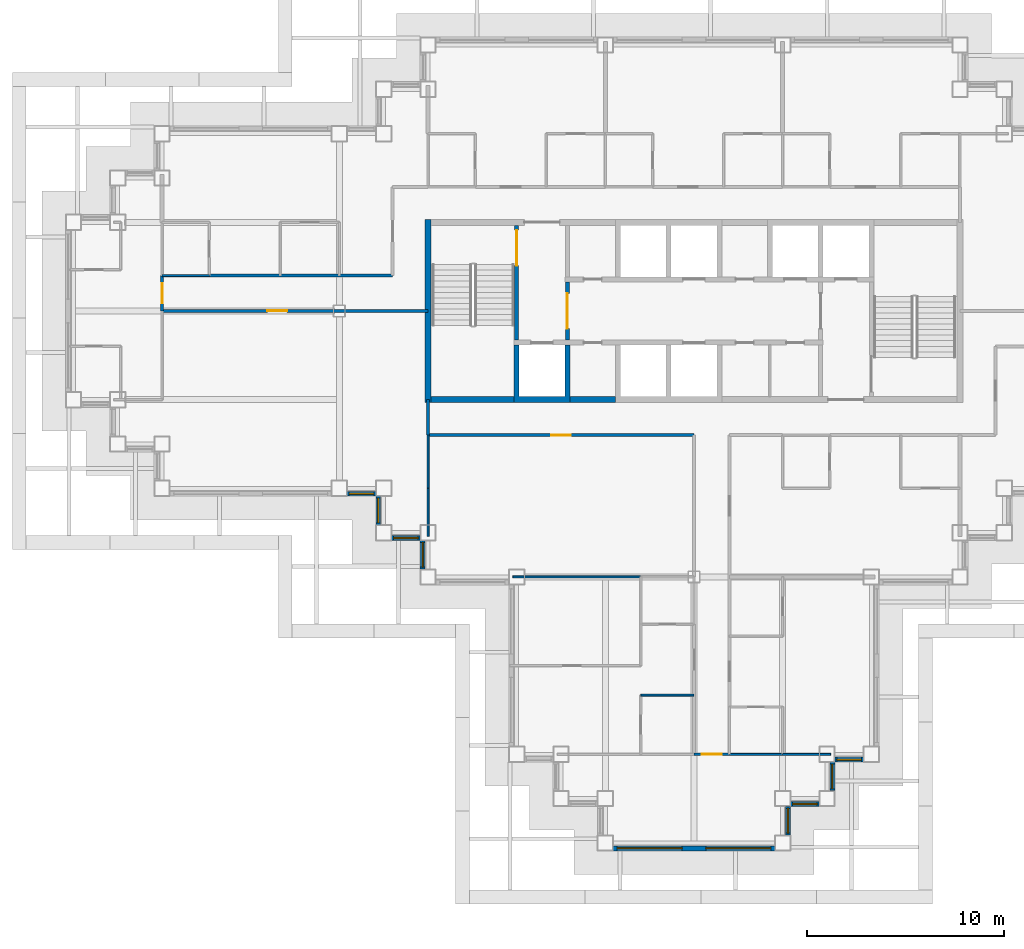
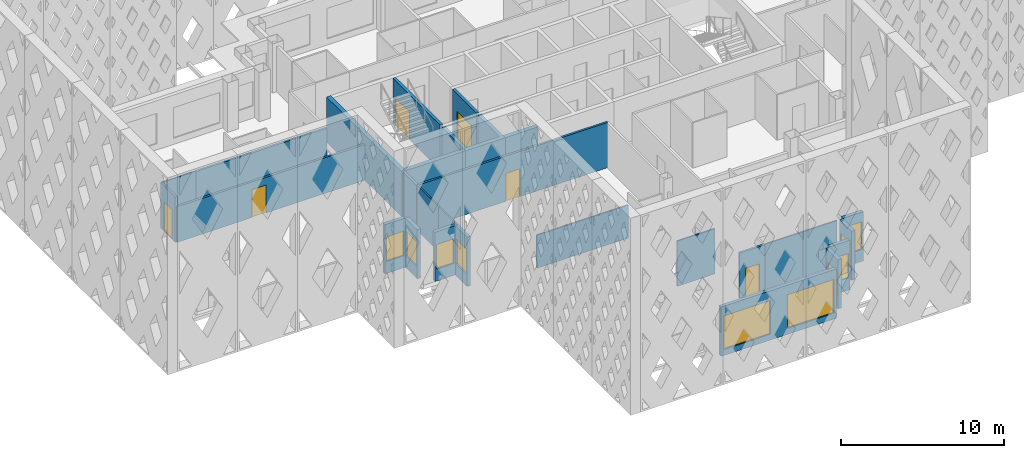
# One storey, part 4 of 19: 28 walls, 10 windows, 6 doors, 16 openings.
"""IFC4 building model written with IfcOpenShell, lengths in metres."""

from ifc_helpers import new_model, si_unit, direction, frame, frame_2d, origin, place, context, subcontext, project, spatial, polyline, rectangle, outline, extrude, material, layer, layer_set, type_object, element, fill, save


model = new_model("IFC4")

# Units and contexts
model_context = context("Model", 3, precision=1e-05, world=origin(), true_north=direction((0.0, 1.0)))
body_context = subcontext(model_context, "Body", "Model", "MODEL_VIEW")
ifc_project = project(units=[si_unit("LENGTHUNIT", "METRE"), si_unit("AREAUNIT", "SQUARE_METRE"), si_unit("VOLUMEUNIT", "CUBIC_METRE"), si_unit("PLANEANGLEUNIT", "RADIAN"), si_unit("MASSUNIT", "GRAM", prefix="KILO")], contexts=[model_context])

# Site, building, storey
site_placement = place(None, origin())
site = spatial("IfcSite", under=ifc_project, at=site_placement, CompositionType="ELEMENT")
building_placement = place(site_placement, origin())
building = spatial("IfcBuilding", under=site, at=building_placement, Name="Caravel Reach Hotel and Residences", CompositionType="ELEMENT")
storey_placement = place(building_placement, frame((0.0, 0.0, 150.60009765625)))
storey = spatial("IfcBuildingStorey", under=building, at=storey_placement, Name="L37", CompositionType="ELEMENT", Elevation=150.60009765625)

# Walls
ifc_material_1 = material(Name="Gypsum board on steel stud", Category="steel")
ifc_layer_1 = layer(ifc_material_1, 0.10009765625)
ifc_layer_set_1 = layer_set([ifc_layer_1], Name="Bathroom pod wall 100 mm")
wall_type_1 = type_object("IfcWallType", Name="Bathroom pod wall 100 mm", PredefinedType="PARTITIONING", material=ifc_layer_set_1)
wall_1_placement = place(storey_placement, frame((4.5, 28.800048828125, 0.0), z_axis=(0.0, 0.0, 1.0), x_axis=(1.0, 0.0, 0.0)))
element("IfcWall", 1, at=wall_1_placement, inside=storey, type_object=wall_type_1, Name="L37 wall w087", PredefinedType="PARTITIONING", context=body_context, shape_type="SweptSolid", body=[
    extrude(rectangle(XDim=2.39990234375, YDim=0.10009765625, at=frame_2d((1.199951171875, 0.0))), origin(), (0.0, 0.0, 1.0), 3.39990234375),
])
wall_2_placement = place(storey_placement, frame((33.300048828125, 4.5, 0.0), z_axis=(0.0, 0.0, 1.0), x_axis=(1.0, 0.0, 0.0)))
element("IfcWall", 2, at=wall_2_placement, inside=storey, type_object=wall_type_1, Name="L37 wall w095", PredefinedType="PARTITIONING", context=body_context, shape_type="SweptSolid", body=[
    extrude(rectangle(XDim=2.699951171875, YDim=0.10009765625, at=frame_2d((1.35009765625, 0.0))), origin(), (0.0, 0.0, 1.0), 3.39990234375),
])
ifc_material_2 = material(Name="Concrete C60", Category="concrete")
ifc_layer_2 = layer(ifc_material_2, 0.300048828125)
ifc_layer_set_2 = layer_set([ifc_layer_2], Name="Core wall 300 mm EI 120")
wall_type_2 = type_object("IfcWallType", Name="Core wall 300 mm EI 120", PredefinedType="SHEAR", material=ifc_layer_set_2)
wall_3_placement = place(storey_placement, frame((18.14990234375, 22.5, 0.0), z_axis=(0.0, 0.0, 1.0), x_axis=(1.0, 0.0, 0.0)))
element("IfcWall", 3, at=wall_3_placement, inside=storey, type_object=wall_type_2, Name="L37 core wall S1", PredefinedType="SHEAR", context=body_context, shape_type="SweptSolid", body=[
    extrude(rectangle(XDim=4.22509765625, YDim=0.300048828125, at=frame_2d((2.112548828125, 0.0))), origin(), (0.0, 0.0, 1.0), 3.39990234375),
])
wall_4_placement = place(storey_placement, frame((25.196533203125, 22.5, 0.0), z_axis=(0.0, 0.0, 1.0), x_axis=(1.0, 0.0, 0.0)))
element("IfcWall", 4, at=wall_4_placement, inside=storey, type_object=wall_type_2, Name="L37 core wall S2", PredefinedType="SHEAR", context=body_context, shape_type="SweptSolid", body=[
    extrude(rectangle(XDim=2.3212890625, YDim=0.300048828125, at=frame_2d((1.16064453125, 0.0))), origin(), (0.0, 0.0, 1.0), 3.39990234375),
])
wall_5_placement = place(storey_placement, frame((18.0, 22.35009765625, 0.0), z_axis=(0.0, 0.0, 1.0), x_axis=(0.0, 1.0, 0.0)))
element("IfcWall", 5, at=wall_5_placement, inside=storey, type_object=wall_type_2, Name="L37 core wall W", PredefinedType="SHEAR", context=body_context, shape_type="SweptSolid", body=[
    extrude(rectangle(XDim=9.2998046875, YDim=0.300048828125, at=frame_2d((4.64990234375, 0.0))), origin(), (0.0, 0.0, 1.0), 3.39990234375),
])

# Wall, opening, door
ifc_material_3 = material(Name="Gypsum board on steel stud, fire-rated", Category="steel")
ifc_layer_3 = layer(ifc_material_3, 0.14990234375)
ifc_layer_set_3 = layer_set([ifc_layer_3], Name="Corridor wall 150 mm EI 60")
wall_type_3 = type_object("IfcWallType", Name="Corridor wall 150 mm EI 60", PredefinedType="PARTITIONING", material=ifc_layer_set_3)
wall_6_placement = place(storey_placement, frame((18.0, 20.699951171875, 0.0), z_axis=(0.0, 0.0, 1.0), x_axis=(1.0, 0.0, 0.0)))
wall_6 = element("IfcWall", 6, at=wall_6_placement, inside=storey, type_object=wall_type_3, Name="L37 wall w005", PredefinedType="PARTITIONING", context=body_context, shape_type="SweptSolid", body=[
    extrude(rectangle(XDim=13.5, YDim=0.14990234375, at=frame_2d((6.75, 0.0))), origin(), (0.0, 0.0, 1.0), 3.39990234375),
])
opening_1_placement = place(wall_6_placement, frame((6.25, 0.0, 0.0)))
opening_1 = element("IfcOpeningElement", 7, at=opening_1_placement, cuts=wall_6, Name="Opening D37-035", PredefinedType="OPENING", context=body_context, shape_type="SweptSolid", body=[
    extrude(rectangle(XDim=1.0, YDim=2.10009765625, at=frame_2d((0.5, 1.050048828125))), frame((0.0, 0.0849609375, 0.0), z_axis=(0.0, -1.0, 0.0), x_axis=(1.0, 0.0, 0.0)), (0.0, 0.0, 1.0), 0.169921875),
])
ifc_material_4 = material(Name="Steel fire door leaf", Category="steel")
door_type_1 = type_object("IfcDoorType", Name="Fire door 1000 x 2100 EI 60", OperationType="SINGLE_SWING_LEFT", PredefinedType="DOOR", material=ifc_material_4)
door_1_placement = place(opening_1_placement, origin())
door_1 = element("IfcDoor", 8, at=door_1_placement, inside=storey, type_object=door_type_1, Name="door D37-035", OperationType="SINGLE_SWING_RIGHT", OverallHeight=2.10009765625, OverallWidth=1.0, PredefinedType="DOOR", context=body_context, shape_type="SweptSolid", body=[
    extrude(rectangle(XDim=1.0, YDim=2.10009765625, at=frame_2d((0.5, 1.050048828125))), frame((0.0, 0.02490234375, 0.0), z_axis=(0.0, -1.0, 0.0), x_axis=(1.0, 0.0, 0.0)), (0.0, 0.0, 1.0), 0.050048828125),
])
fill(opening_1, door_1)

wall_7_placement = place(storey_placement, frame((4.5, 27.0, 0.0), z_axis=(0.0, 0.0, 1.0), x_axis=(1.0, 0.0, 0.0)))
wall_7 = element("IfcWall", 9, at=wall_7_placement, inside=storey, type_object=wall_type_3, Name="L37 wall w009", PredefinedType="PARTITIONING", context=body_context, shape_type="SweptSolid", body=[
    extrude(rectangle(XDim=13.5, YDim=0.14990234375, at=frame_2d((6.75, 0.0))), origin(), (0.0, 0.0, 1.0), 2.679931640625),
])
opening_2_placement = place(wall_7_placement, frame((5.35009765625, 0.0, 0.0)))
opening_2 = element("IfcOpeningElement", 10, at=opening_2_placement, cuts=wall_7, Name="Opening D37-029", PredefinedType="OPENING", context=body_context, shape_type="SweptSolid", body=[
    extrude(rectangle(XDim=1.0, YDim=2.10009765625, at=frame_2d((0.5, 1.050048828125))), frame((0.0, 0.0849609375, 0.0), z_axis=(0.0, -1.0, 0.0), x_axis=(1.0, 0.0, 0.0)), (0.0, 0.0, 1.0), 0.169921875),
])
door_2_placement = place(opening_2_placement, origin())
door_2 = element("IfcDoor", 11, at=door_2_placement, inside=storey, type_object=door_type_1, Name="door D37-029", OperationType="SINGLE_SWING_LEFT", OverallHeight=2.10009765625, OverallWidth=1.0, PredefinedType="DOOR", context=body_context, shape_type="SweptSolid", body=[
    extrude(rectangle(XDim=1.0, YDim=2.10009765625, at=frame_2d((0.5, 1.050048828125))), frame((0.0, 0.02490234375, 0.0), z_axis=(0.0, -1.0, 0.0), x_axis=(1.0, 0.0, 0.0)), (0.0, 0.0, 1.0), 0.050048828125),
])
fill(opening_2, door_2)

# Wall
wall_8_placement = place(storey_placement, frame((6.89990234375, 28.800048828125, 0.0), z_axis=(0.0, 0.0, 1.0), x_axis=(1.0, 0.0, 0.0)))
element("IfcWall", 12, at=wall_8_placement, inside=storey, type_object=wall_type_3, Name="L37 wall w011", PredefinedType="PARTITIONING", context=body_context, shape_type="SweptSolid", body=[
    extrude(rectangle(XDim=9.299072265625, YDim=0.14990234375, at=frame_2d((4.6494140625, 0.0))), origin(), (0.0, 0.0, 1.0), 3.39990234375),
])

# Wall, opening, door
wall_9_placement = place(storey_placement, frame((31.5, 4.5, 0.0), z_axis=(0.0, 0.0, 1.0), x_axis=(1.0, 0.0, 0.0)))
wall_9 = element("IfcWall", 13, at=wall_9_placement, inside=storey, type_object=wall_type_3, Name="L37 wall w021", PredefinedType="PARTITIONING", context=body_context, shape_type="SweptSolid", body=[
    extrude(rectangle(XDim=1.800048828125, YDim=0.14990234375, at=frame_2d((0.89990234375, 0.0))), origin(), (0.0, 0.0, 1.0), 3.39990234375),
])
opening_3_placement = place(wall_9_placement, frame((0.39990234375, 0.0, 0.0)))
opening_3 = element("IfcOpeningElement", 14, at=opening_3_placement, cuts=wall_9, Name="Opening D37-050", PredefinedType="OPENING", context=body_context, shape_type="SweptSolid", body=[
    extrude(rectangle(XDim=1.0, YDim=2.10009765625, at=frame_2d((0.5, 1.050048828125))), frame((0.0, 0.0849609375, 0.0), z_axis=(0.0, -1.0, 0.0), x_axis=(1.0, 0.0, 0.0)), (0.0, 0.0, 1.0), 0.169921875),
])
door_3_placement = place(opening_3_placement, origin())
door_3 = element("IfcDoor", 15, at=door_3_placement, inside=storey, type_object=door_type_1, Name="door D37-050", OperationType="SINGLE_SWING_LEFT", OverallHeight=2.10009765625, OverallWidth=1.0, PredefinedType="DOOR", context=body_context, shape_type="SweptSolid", body=[
    extrude(rectangle(XDim=1.0, YDim=2.10009765625, at=frame_2d((0.5, 1.050048828125))), frame((0.0, 0.02490234375, 0.0), z_axis=(0.0, -1.0, 0.0), x_axis=(1.0, 0.0, 0.0)), (0.0, 0.0, 1.0), 0.050048828125),
])
fill(opening_3, door_3)

# Wall
wall_10_placement = place(storey_placement, frame((18.0, 20.699951171875, 0.0), z_axis=(0.0, 0.0, 1.0), x_axis=(0.0, 1.0, 0.0)))
element("IfcWall", 16, at=wall_10_placement, inside=storey, type_object=wall_type_3, Name="L37 wall w023", PredefinedType="PARTITIONING", context=body_context, shape_type="SweptSolid", body=[
    extrude(rectangle(XDim=1.800048828125, YDim=0.14990234375, at=frame_2d((0.89990234375, 0.0))), origin(), (0.0, 0.0, 1.0), 3.39990234375),
])

# Wall, opening, door
wall_11_placement = place(storey_placement, frame((4.5, 27.0, 0.0), z_axis=(0.0, 0.0, 1.0), x_axis=(0.0, 1.0, 0.0)))
wall_11 = element("IfcWall", 17, at=wall_11_placement, inside=storey, type_object=wall_type_3, Name="L37 wall w030", PredefinedType="PARTITIONING", context=body_context, shape_type="SweptSolid", body=[
    extrude(rectangle(XDim=1.800048828125, YDim=0.14990234375, at=frame_2d((0.89990234375, 0.0))), origin(), (0.0, 0.0, 1.0), 3.39990234375),
])
opening_4_placement = place(wall_11_placement, frame((0.39990234375, 0.0, 0.0)))
opening_4 = element("IfcOpeningElement", 18, at=opening_4_placement, cuts=wall_11, Name="Opening D37-046", PredefinedType="OPENING", context=body_context, shape_type="SweptSolid", body=[
    extrude(rectangle(XDim=1.0, YDim=2.199951171875, at=frame_2d((0.5, 1.10009765625))), frame((0.0, 0.0849609375, 0.0), z_axis=(0.0, -1.0, 0.0), x_axis=(1.0, 0.0, 0.0)), (0.0, 0.0, 1.0), 0.169921875),
])
ifc_material_5 = material(Name="Steel fire door leaf", Category="steel")
door_type_2 = type_object("IfcDoorType", Name="Flat entrance door 1000 x 2200 EI 60", OperationType="SINGLE_SWING_LEFT", PredefinedType="DOOR", material=ifc_material_5)
door_4_placement = place(opening_4_placement, origin())
door_4 = element("IfcDoor", 19, at=door_4_placement, inside=storey, type_object=door_type_2, Name="door D37-046", OperationType="SINGLE_SWING_RIGHT", OverallHeight=2.199951171875, OverallWidth=1.0, PredefinedType="DOOR", context=body_context, shape_type="SweptSolid", body=[
    extrude(rectangle(XDim=1.0, YDim=2.199951171875, at=frame_2d((0.5, 1.10009765625))), frame((0.0, 0.02490234375, 0.0), z_axis=(0.0, -1.0, 0.0), x_axis=(1.0, 0.0, 0.0)), (0.0, 0.0, 1.0), 0.050048828125),
])
fill(opening_4, door_4)

# Wall, openings, windows
ifc_material_6 = material(Name="Insulated rainscreen wall, aluminium cladding", Category="aluminium")
ifc_layer_4 = layer(ifc_material_6, 0.25)
ifc_layer_set_4 = layer_set([ifc_layer_4], Name="EW1 Tower rainscreen wall")
wall_type_4 = type_object("IfcWallType", Name="EW1 Tower rainscreen wall", PredefinedType="SOLIDWALL", material=ifc_layer_set_4)
wall_12_placement = place(storey_placement, frame((27.39990234375, -0.27490234375, 0.0), z_axis=(0.0, 0.0, 1.0), x_axis=(1.0, 0.0, 0.0)))
wall_12 = element("IfcWall", 20, at=wall_12_placement, inside=storey, type_object=wall_type_4, Name="External wall L37 S5.1", PredefinedType="SOLIDWALL", context=body_context, shape_type="SweptSolid", body=[
    extrude(rectangle(XDim=8.2001953125, YDim=0.25, at=frame_2d((4.10009765625, 0.0))), origin(), (0.0, 0.0, 1.0), 3.699951171875),
])
opening_5_placement = place(wall_12_placement, frame((0.199951171875, 0.0, 0.449951171875)))
opening_5 = element("IfcOpeningElement", 21, at=opening_5_placement, cuts=wall_12, Name="Opening WN14", PredefinedType="OPENING", context=body_context, shape_type="SweptSolid", body=[
    extrude(rectangle(XDim=3.300048828125, YDim=2.530029296875, at=frame_2d((1.64990234375, 1.26513671875))), frame((0.0, 0.135009765625, 0.0), z_axis=(0.0, -1.0, 0.0), x_axis=(1.0, 0.0, 0.0)), (0.0, 0.0, 1.0), 0.27001953125),
])
opening_6_placement = place(wall_12_placement, frame((4.699951171875, 0.0, 0.449951171875)))
opening_6 = element("IfcOpeningElement", 22, at=opening_6_placement, cuts=wall_12, Name="Opening WN14", PredefinedType="OPENING", context=body_context, shape_type="SweptSolid", body=[
    extrude(rectangle(XDim=3.300048828125, YDim=2.530029296875, at=frame_2d((1.64990234375, 1.26513671875))), frame((0.0, 0.135009765625, 0.0), z_axis=(0.0, -1.0, 0.0), x_axis=(1.0, 0.0, 0.0)), (0.0, 0.0, 1.0), 0.27001953125),
])
ifc_material_7 = material(Name="Dark low-e glazing in black aluminium frame", Category="aluminium")
window_type_1 = type_object("IfcWindowType", Name="Residence living window 3300 x 2530", PartitioningType="SINGLE_PANEL", PredefinedType="WINDOW", material=ifc_material_7)
window_1_placement = place(opening_5_placement, origin())
window_1 = element("IfcWindow", 23, at=window_1_placement, inside=storey, type_object=window_type_1, Name="Window L37 S5.1.1", OverallHeight=2.530029296875, OverallWidth=3.300048828125, PartitioningType="SINGLE_PANEL", PredefinedType="WINDOW", context=body_context, shape_type="SweptSolid", body=[
    extrude(rectangle(XDim=3.300048828125, YDim=2.530029296875, at=frame_2d((1.64990234375, 1.26513671875))), frame((0.0, 0.030029296875, 0.0), z_axis=(0.0, -1.0, 0.0), x_axis=(1.0, 0.0, 0.0)), (0.0, 0.0, 1.0), 0.06005859375),
])
fill(opening_5, window_1)
window_2_placement = place(opening_6_placement, origin())
window_2 = element("IfcWindow", 24, at=window_2_placement, inside=storey, type_object=window_type_1, Name="Window L37 S5.1.2", OverallHeight=2.530029296875, OverallWidth=3.300048828125, PartitioningType="SINGLE_PANEL", PredefinedType="WINDOW", context=body_context, shape_type="SweptSolid", body=[
    extrude(rectangle(XDim=3.300048828125, YDim=2.530029296875, at=frame_2d((1.64990234375, 1.26513671875))), frame((0.0, 0.030029296875, 0.0), z_axis=(0.0, -1.0, 0.0), x_axis=(1.0, 0.0, 0.0)), (0.0, 0.0, 1.0), 0.06005859375),
])
fill(opening_6, window_2)

# Wall, opening, window
wall_13_placement = place(storey_placement, frame((36.27490234375, 0.39990234375, 0.0), z_axis=(0.0, 0.0, 1.0), x_axis=(0.0, 1.0, 0.0)))
wall_13 = element("IfcWall", 25, at=wall_13_placement, inside=storey, type_object=wall_type_4, Name="External wall L37 E6.1", PredefinedType="SOLIDWALL", context=body_context, shape_type="SweptSolid", body=[
    extrude(rectangle(XDim=1.4501953125, YDim=0.25, at=frame_2d((0.72509765625, 0.0))), origin(), (0.0, 0.0, 1.0), 3.699951171875),
])
opening_7_placement = place(wall_13_placement, frame((0.10009765625, 0.0, 0.89990234375)))
opening_7 = element("IfcOpeningElement", 26, at=opening_7_placement, cuts=wall_13, Name="Opening WN13", PredefinedType="OPENING", context=body_context, shape_type="SweptSolid", body=[
    extrude(rectangle(XDim=1.25, YDim=1.85009765625, at=frame_2d((0.625, 0.925048828125))), frame((0.0, 0.135009765625, 0.0), z_axis=(0.0, -1.0, 0.0), x_axis=(1.0, 0.0, 0.0)), (0.0, 0.0, 1.0), 0.27001953125),
])
ifc_material_8 = material(Name="Dark low-e glazing in black aluminium frame", Category="aluminium")
window_type_2 = type_object("IfcWindowType", Name="Residence bedroom window 1250 x 1850", PartitioningType="SINGLE_PANEL", PredefinedType="WINDOW", material=ifc_material_8)
window_3_placement = place(opening_7_placement, origin())
window_3 = element("IfcWindow", 27, at=window_3_placement, inside=storey, type_object=window_type_2, Name="Window L37 E6.1.1", OverallHeight=1.85009765625, OverallWidth=1.25, PartitioningType="SINGLE_PANEL", PredefinedType="WINDOW", context=body_context, shape_type="SweptSolid", body=[
    extrude(rectangle(XDim=1.25, YDim=1.85009765625, at=frame_2d((0.625, 0.925048828125))), frame((0.0, 0.030029296875, 0.0), z_axis=(0.0, -1.0, 0.0), x_axis=(1.0, 0.0, 0.0)), (0.0, 0.0, 1.0), 0.06005859375),
])
fill(opening_7, window_3)

wall_14_placement = place(storey_placement, frame((36.39990234375, 1.97509765625, 0.0), z_axis=(0.0, 0.0, 1.0), x_axis=(1.0, 0.0, 0.0)))
wall_14 = element("IfcWall", 28, at=wall_14_placement, inside=storey, type_object=wall_type_4, Name="External wall L37 S7.1", PredefinedType="SOLIDWALL", context=body_context, shape_type="SweptSolid", body=[
    extrude(rectangle(XDim=1.4501953125, YDim=0.25, at=frame_2d((0.72509765625, 0.0))), origin(), (0.0, 0.0, 1.0), 3.699951171875),
])
opening_8_placement = place(wall_14_placement, frame((0.10009765625, 0.0, 0.89990234375)))
opening_8 = element("IfcOpeningElement", 29, at=opening_8_placement, cuts=wall_14, Name="Opening WN13", PredefinedType="OPENING", context=body_context, shape_type="SweptSolid", body=[
    extrude(rectangle(XDim=1.25, YDim=1.85009765625, at=frame_2d((0.625, 0.925048828125))), frame((0.0, 0.135009765625, 0.0), z_axis=(0.0, -1.0, 0.0), x_axis=(1.0, 0.0, 0.0)), (0.0, 0.0, 1.0), 0.27001953125),
])
window_4_placement = place(opening_8_placement, origin())
window_4 = element("IfcWindow", 30, at=window_4_placement, inside=storey, type_object=window_type_2, Name="Window L37 S7.1.1", OverallHeight=1.85009765625, OverallWidth=1.25, PartitioningType="SINGLE_PANEL", PredefinedType="WINDOW", context=body_context, shape_type="SweptSolid", body=[
    extrude(rectangle(XDim=1.25, YDim=1.85009765625, at=frame_2d((0.625, 0.925048828125))), frame((0.0, 0.030029296875, 0.0), z_axis=(0.0, -1.0, 0.0), x_axis=(1.0, 0.0, 0.0)), (0.0, 0.0, 1.0), 0.06005859375),
])
fill(opening_8, window_4)

wall_15_placement = place(storey_placement, frame((38.52490234375, 2.64990234375, 0.0), z_axis=(0.0, 0.0, 1.0), x_axis=(0.0, 1.0, 0.0)))
wall_15 = element("IfcWall", 31, at=wall_15_placement, inside=storey, type_object=wall_type_4, Name="External wall L37 E8.1", PredefinedType="SOLIDWALL", context=body_context, shape_type="SweptSolid", body=[
    extrude(rectangle(XDim=1.4501953125, YDim=0.25, at=frame_2d((0.72509765625, 0.0))), origin(), (0.0, 0.0, 1.0), 3.699951171875),
])
opening_9_placement = place(wall_15_placement, frame((0.10009765625, 0.0, 0.89990234375)))
opening_9 = element("IfcOpeningElement", 32, at=opening_9_placement, cuts=wall_15, Name="Opening WN13", PredefinedType="OPENING", context=body_context, shape_type="SweptSolid", body=[
    extrude(rectangle(XDim=1.25, YDim=1.85009765625, at=frame_2d((0.625, 0.925048828125))), frame((0.0, 0.135009765625, 0.0), z_axis=(0.0, -1.0, 0.0), x_axis=(1.0, 0.0, 0.0)), (0.0, 0.0, 1.0), 0.27001953125),
])
window_5_placement = place(opening_9_placement, origin())
window_5 = element("IfcWindow", 33, at=window_5_placement, inside=storey, type_object=window_type_2, Name="Window L37 E8.1.1", OverallHeight=1.85009765625, OverallWidth=1.25, PartitioningType="SINGLE_PANEL", PredefinedType="WINDOW", context=body_context, shape_type="SweptSolid", body=[
    extrude(rectangle(XDim=1.25, YDim=1.85009765625, at=frame_2d((0.625, 0.925048828125))), frame((0.0, 0.030029296875, 0.0), z_axis=(0.0, -1.0, 0.0), x_axis=(1.0, 0.0, 0.0)), (0.0, 0.0, 1.0), 0.06005859375),
])
fill(opening_9, window_5)

wall_16_placement = place(storey_placement, frame((38.64990234375, 4.22509765625, 0.0), z_axis=(0.0, 0.0, 1.0), x_axis=(1.0, 0.0, 0.0)))
wall_16 = element("IfcWall", 34, at=wall_16_placement, inside=storey, type_object=wall_type_4, Name="External wall L37 S9.1", PredefinedType="SOLIDWALL", context=body_context, shape_type="SweptSolid", body=[
    extrude(rectangle(XDim=1.4501953125, YDim=0.25, at=frame_2d((0.72509765625, 0.0))), origin(), (0.0, 0.0, 1.0), 3.699951171875),
])
opening_10_placement = place(wall_16_placement, frame((0.10009765625, 0.0, 0.89990234375)))
opening_10 = element("IfcOpeningElement", 35, at=opening_10_placement, cuts=wall_16, Name="Opening WN12", PredefinedType="OPENING", context=body_context, shape_type="SweptSolid", body=[
    extrude(rectangle(XDim=1.25, YDim=2.080078125, at=frame_2d((0.625, 1.0400390625))), frame((0.0, 0.135009765625, 0.0), z_axis=(0.0, -1.0, 0.0), x_axis=(1.0, 0.0, 0.0)), (0.0, 0.0, 1.0), 0.27001953125),
])
ifc_material_9 = material(Name="Dark low-e glazing in black aluminium frame", Category="aluminium")
window_type_3 = type_object("IfcWindowType", Name="Residence bedroom window 1250 x 2080", PartitioningType="SINGLE_PANEL", PredefinedType="WINDOW", material=ifc_material_9)
window_6_placement = place(opening_10_placement, origin())
window_6 = element("IfcWindow", 36, at=window_6_placement, inside=storey, type_object=window_type_3, Name="Window L37 S9.1.1", OverallHeight=2.080078125, OverallWidth=1.25, PartitioningType="SINGLE_PANEL", PredefinedType="WINDOW", context=body_context, shape_type="SweptSolid", body=[
    extrude(rectangle(XDim=1.25, YDim=2.080078125, at=frame_2d((0.625, 1.0400390625))), frame((0.0, 0.030029296875, 0.0), z_axis=(0.0, -1.0, 0.0), x_axis=(1.0, 0.0, 0.0)), (0.0, 0.0, 1.0), 0.06005859375),
])
fill(opening_10, window_6)

wall_17_placement = place(storey_placement, frame((13.89990234375, 17.72509765625, 0.0), z_axis=(0.0, 0.0, 1.0), x_axis=(1.0, 0.0, 0.0)))
wall_17 = element("IfcWall", 37, at=wall_17_placement, inside=storey, type_object=wall_type_4, Name="External wall L37 S43.2", PredefinedType="SOLIDWALL", context=body_context, shape_type="SweptSolid", body=[
    extrude(rectangle(XDim=1.4501953125, YDim=0.25, at=frame_2d((0.72509765625, 0.0))), origin(), (0.0, 0.0, 1.0), 3.699951171875),
])
opening_11_placement = place(wall_17_placement, frame((0.10009765625, 0.0, 0.89990234375)))
opening_11 = element("IfcOpeningElement", 38, at=opening_11_placement, cuts=wall_17, Name="Opening WN13", PredefinedType="OPENING", context=body_context, shape_type="SweptSolid", body=[
    extrude(rectangle(XDim=1.25, YDim=1.85009765625, at=frame_2d((0.625, 0.925048828125))), frame((0.0, 0.135009765625, 0.0), z_axis=(0.0, -1.0, 0.0), x_axis=(1.0, 0.0, 0.0)), (0.0, 0.0, 1.0), 0.27001953125),
])
window_7_placement = place(opening_11_placement, origin())
window_7 = element("IfcWindow", 39, at=window_7_placement, inside=storey, type_object=window_type_2, Name="Window L37 S43.2.1", OverallHeight=1.85009765625, OverallWidth=1.25, PartitioningType="SINGLE_PANEL", PredefinedType="WINDOW", context=body_context, shape_type="SweptSolid", body=[
    extrude(rectangle(XDim=1.25, YDim=1.85009765625, at=frame_2d((0.625, 0.925048828125))), frame((0.0, 0.030029296875, 0.0), z_axis=(0.0, -1.0, 0.0), x_axis=(1.0, 0.0, 0.0)), (0.0, 0.0, 1.0), 0.06005859375),
])
fill(opening_11, window_7)

wall_18_placement = place(storey_placement, frame((15.47509765625, 17.60009765625, 0.0), z_axis=(0.0, 0.0, 1.0), x_axis=(0.0, -1.0, 0.0)))
wall_18 = element("IfcWall", 40, at=wall_18_placement, inside=storey, type_object=wall_type_4, Name="External wall L37 W44.1", PredefinedType="SOLIDWALL", context=body_context, shape_type="SweptSolid", body=[
    extrude(rectangle(XDim=1.4501953125, YDim=0.25, at=frame_2d((0.72509765625, 0.0))), origin(), (0.0, 0.0, 1.0), 3.699951171875),
])
opening_12_placement = place(wall_18_placement, frame((0.10009765625, 0.0, 0.89990234375)))
opening_12 = element("IfcOpeningElement", 41, at=opening_12_placement, cuts=wall_18, Name="Opening WN13", PredefinedType="OPENING", context=body_context, shape_type="SweptSolid", body=[
    extrude(rectangle(XDim=1.25, YDim=1.85009765625, at=frame_2d((0.625, 0.925048828125))), frame((0.0, 0.135009765625, 0.0), z_axis=(0.0, -1.0, 0.0), x_axis=(1.0, 0.0, 0.0)), (0.0, 0.0, 1.0), 0.27001953125),
])
window_8_placement = place(opening_12_placement, origin())
window_8 = element("IfcWindow", 42, at=window_8_placement, inside=storey, type_object=window_type_2, Name="Window L37 W44.1.1", OverallHeight=1.85009765625, OverallWidth=1.25, PartitioningType="SINGLE_PANEL", PredefinedType="WINDOW", context=body_context, shape_type="SweptSolid", body=[
    extrude(rectangle(XDim=1.25, YDim=1.85009765625, at=frame_2d((0.625, 0.925048828125))), frame((0.0, 0.030029296875, 0.0), z_axis=(0.0, -1.0, 0.0), x_axis=(1.0, 0.0, 0.0)), (0.0, 0.0, 1.0), 0.06005859375),
])
fill(opening_12, window_8)

wall_19_placement = place(storey_placement, frame((16.14990234375, 15.47509765625, 0.0), z_axis=(0.0, 0.0, 1.0), x_axis=(1.0, 0.0, 0.0)))
wall_19 = element("IfcWall", 43, at=wall_19_placement, inside=storey, type_object=wall_type_4, Name="External wall L37 S45.1", PredefinedType="SOLIDWALL", context=body_context, shape_type="SweptSolid", body=[
    extrude(rectangle(XDim=1.4501953125, YDim=0.25, at=frame_2d((0.72509765625, 0.0))), origin(), (0.0, 0.0, 1.0), 3.699951171875),
])
opening_13_placement = place(wall_19_placement, frame((0.10009765625, 0.0, 0.89990234375)))
opening_13 = element("IfcOpeningElement", 44, at=opening_13_placement, cuts=wall_19, Name="Opening WN13", PredefinedType="OPENING", context=body_context, shape_type="SweptSolid", body=[
    extrude(rectangle(XDim=1.25, YDim=1.85009765625, at=frame_2d((0.625, 0.925048828125))), frame((0.0, 0.135009765625, 0.0), z_axis=(0.0, -1.0, 0.0), x_axis=(1.0, 0.0, 0.0)), (0.0, 0.0, 1.0), 0.27001953125),
])
window_9_placement = place(opening_13_placement, origin())
window_9 = element("IfcWindow", 45, at=window_9_placement, inside=storey, type_object=window_type_2, Name="Window L37 S45.1.1", OverallHeight=1.85009765625, OverallWidth=1.25, PartitioningType="SINGLE_PANEL", PredefinedType="WINDOW", context=body_context, shape_type="SweptSolid", body=[
    extrude(rectangle(XDim=1.25, YDim=1.85009765625, at=frame_2d((0.625, 0.925048828125))), frame((0.0, 0.030029296875, 0.0), z_axis=(0.0, -1.0, 0.0), x_axis=(1.0, 0.0, 0.0)), (0.0, 0.0, 1.0), 0.06005859375),
])
fill(opening_13, window_9)

wall_20_placement = place(storey_placement, frame((17.72509765625, 15.35009765625, 0.0), z_axis=(0.0, 0.0, 1.0), x_axis=(0.0, -1.0, 0.0)))
wall_20 = element("IfcWall", 46, at=wall_20_placement, inside=storey, type_object=wall_type_4, Name="External wall L37 W46.1", PredefinedType="SOLIDWALL", context=body_context, shape_type="SweptSolid", body=[
    extrude(rectangle(XDim=1.4501953125, YDim=0.25, at=frame_2d((0.72509765625, 0.0))), origin(), (0.0, 0.0, 1.0), 3.699951171875),
])
opening_14_placement = place(wall_20_placement, frame((0.10009765625, 0.0, 0.89990234375)))
opening_14 = element("IfcOpeningElement", 47, at=opening_14_placement, cuts=wall_20, Name="Opening WN13", PredefinedType="OPENING", context=body_context, shape_type="SweptSolid", body=[
    extrude(rectangle(XDim=1.25, YDim=1.85009765625, at=frame_2d((0.625, 0.925048828125))), frame((0.0, 0.135009765625, 0.0), z_axis=(0.0, -1.0, 0.0), x_axis=(1.0, 0.0, 0.0)), (0.0, 0.0, 1.0), 0.27001953125),
])
window_10_placement = place(opening_14_placement, origin())
window_10 = element("IfcWindow", 48, at=window_10_placement, inside=storey, type_object=window_type_2, Name="Window L37 W46.1.1", OverallHeight=1.85009765625, OverallWidth=1.25, PartitioningType="SINGLE_PANEL", PredefinedType="WINDOW", context=body_context, shape_type="SweptSolid", body=[
    extrude(rectangle(XDim=1.25, YDim=1.85009765625, at=frame_2d((0.625, 0.925048828125))), frame((0.0, 0.030029296875, 0.0), z_axis=(0.0, -1.0, 0.0), x_axis=(1.0, 0.0, 0.0)), (0.0, 0.0, 1.0), 0.06005859375),
])
fill(opening_14, window_10)

# Wall, opening, door
ifc_material_10 = material(Name="Autoclaved aerated block wall")
ifc_layer_5 = layer(ifc_material_10, 0.199951171875)
ifc_layer_set_5 = layer_set([ifc_layer_5], Name="Fire lobby wall 200 mm EI 120")
wall_type_5 = type_object("IfcWallType", Name="Fire lobby wall 200 mm EI 120", PredefinedType="PARTITIONING", material=ifc_layer_set_5)
wall_21_placement = place(storey_placement, frame((25.071533203125, 25.52490234375, 0.0), z_axis=(0.0, 0.0, 1.0), x_axis=(0.0, 1.0, 0.0)))
wall_21 = element("IfcWall", 49, at=wall_21_placement, inside=storey, type_object=wall_type_5, Name="L37 lobby W wall", PredefinedType="PARTITIONING", context=body_context, shape_type="SweptSolid", body=[
    extrude(rectangle(XDim=2.9501953125, YDim=0.199951171875, at=frame_2d((1.47509765625, 0.0))), origin(), (0.0, 0.0, 1.0), 3.39990234375),
])
opening_15_placement = place(wall_21_placement, frame((0.574951171875, 0.0, 0.0)))
opening_15 = element("IfcOpeningElement", 50, at=opening_15_placement, cuts=wall_21, Name="Opening D37-013", PredefinedType="OPENING", context=body_context, shape_type="SweptSolid", body=[
    extrude(rectangle(XDim=1.800048828125, YDim=2.10009765625, at=frame_2d((0.89990234375, 1.050048828125))), frame((0.0, 0.10986328125, 0.0), z_axis=(0.0, -1.0, 0.0), x_axis=(1.0, 0.0, 0.0)), (0.0, 0.0, 1.0), 0.219970703125),
])
ifc_material_11 = material(Name="Steel fire door leaf", Category="steel")
door_type_3 = type_object("IfcDoorType", Name="Fire lobby door pair 1800 x 2100 EI 90", OperationType="DOUBLE_DOOR_SINGLE_SWING", PredefinedType="DOOR", material=ifc_material_11)
door_5_placement = place(opening_15_placement, origin())
door_5 = element("IfcDoor", 51, at=door_5_placement, inside=storey, type_object=door_type_3, Name="lobby W door pair", OperationType="DOUBLE_DOOR_SINGLE_SWING", OverallHeight=2.10009765625, OverallWidth=1.800048828125, PredefinedType="DOOR", context=body_context, shape_type="SweptSolid", body=[
    extrude(rectangle(XDim=1.800048828125, YDim=2.10009765625, at=frame_2d((0.89990234375, 1.050048828125))), frame((0.0, 0.02490234375, 0.0), z_axis=(0.0, -1.0, 0.0), x_axis=(1.0, 0.0, 0.0)), (0.0, 0.0, 1.0), 0.050048828125),
])
fill(opening_15, door_5)

# Walls
ifc_material_12 = material(Name="Gypsum board on steel stud", Category="steel")
ifc_layer_6 = layer(ifc_material_12, 0.10009765625)
ifc_layer_set_6 = layer_set([ifc_layer_6], Name="Partition 100 mm")
wall_type_6 = type_object("IfcWallType", Name="Partition 100 mm", PredefinedType="PARTITIONING", material=ifc_layer_set_6)
wall_22_placement = place(storey_placement, frame((22.31005859375, 13.5, 0.0), z_axis=(0.0, 0.0, 1.0), x_axis=(1.0, 0.0, 0.0)))
element("IfcWall", 52, at=wall_22_placement, inside=storey, type_object=wall_type_6, Name="L37 wall w035", PredefinedType="PARTITIONING", context=body_context, shape_type="SweptSolid", body=[
    extrude(rectangle(XDim=6.489990234375, YDim=0.10009765625, at=frame_2d((3.2451171875, 0.0))), origin(), (0.0, 0.0, 1.0), 2.47998046875),
])
wall_23_placement = place(storey_placement, frame((36.0, 4.5, 0.0), z_axis=(0.0, 0.0, 1.0), x_axis=(1.0, 0.0, 0.0)))
element("IfcWall", 53, at=wall_23_placement, inside=storey, type_object=wall_type_6, Name="L37 wall w048", PredefinedType="PARTITIONING", context=body_context, shape_type="SweptSolid", body=[
    extrude(rectangle(XDim=2.43994140625, YDim=0.10009765625, at=frame_2d((1.219970703125, 0.0))), origin(), (0.0, 0.0, 1.0), 3.39990234375),
])
wall_24_placement = place(storey_placement, frame((28.800048828125, 7.5, 0.0), z_axis=(0.0, 0.0, 1.0), x_axis=(1.0, 0.0, 0.0)))
element("IfcWall", 54, at=wall_24_placement, inside=storey, type_object=wall_type_6, Name="L37 wall w051", PredefinedType="PARTITIONING", context=body_context, shape_type="SweptSolid", body=[
    extrude(rectangle(XDim=2.699951171875, YDim=0.10009765625, at=frame_2d((1.35009765625, 0.0))), origin(), (0.0, 0.0, 1.0), 3.39990234375),
])
wall_25_placement = place(storey_placement, frame((18.0, 15.56005859375, 0.0), z_axis=(0.0, 0.0, 1.0), x_axis=(0.0, 1.0, 0.0)))
element("IfcWall", 55, at=wall_25_placement, inside=storey, type_object=wall_type_6, Name="L37 wall w055", PredefinedType="PARTITIONING", context=body_context, shape_type="SweptSolid", body=[
    extrude(rectangle(XDim=2.43896484375, YDim=0.10009765625, at=frame_2d((1.219482421875, 0.0))), origin(), (0.0, 0.0, 1.0), 3.39990234375),
])
wall_26_placement = place(storey_placement, frame((18.0, 18.0, 0.0), z_axis=(0.0, 0.0, 1.0), x_axis=(0.0, 1.0, 0.0)))
element("IfcWall", 56, at=wall_26_placement, inside=storey, type_object=wall_type_6, Name="L37 wall w056", PredefinedType="PARTITIONING", context=body_context, shape_type="SweptSolid", body=[
    extrude(rectangle(XDim=2.699951171875, YDim=0.10009765625, at=frame_2d((1.35009765625, 0.0))), origin(), (0.0, 0.0, 1.0), 3.39990234375),
])
ifc_material_13 = material(Name="Concrete C60", Category="concrete")
ifc_layer_7 = layer(ifc_material_13, 0.25)
ifc_layer_set_7 = layer_set([ifc_layer_7], Name="Shaft wall 250 mm EI 120")
wall_type_7 = type_object("IfcWallType", Name="Shaft wall 250 mm EI 120", PredefinedType="SHEAR", material=ifc_layer_set_7)
wall_27_placement = place(storey_placement, origin())
element("IfcWall", 57, at=wall_27_placement, inside=storey, type_object=wall_type_7, Name="L37 lift shaft wall S1", PredefinedType="SHEAR", context=body_context, shape_type="SweptSolid", body=[
    extrude(outline(polyline([(22.375, 22.35009765625), (25.196533203125, 22.35009765625), (25.196533203125, 25.27490234375), (24.946533203125, 25.27490234375), (24.946533203125, 22.64990234375), (22.625, 22.64990234375), (22.625, 25.27490234375), (22.375, 25.27490234375), (22.375, 22.35009765625)])), origin(), (0.0, 0.0, 1.0), 3.39990234375),
])

# Wall, opening, door
ifc_material_14 = material(Name="Concrete C60", Category="concrete")
ifc_layer_8 = layer(ifc_material_14, 0.199951171875)
ifc_layer_set_8 = layer_set([ifc_layer_8], Name="Stair enclosure wall 200 mm EI 120")
wall_type_8 = type_object("IfcWallType", Name="Stair enclosure wall 200 mm EI 120", PredefinedType="SHEAR", material=ifc_layer_set_8)
wall_28_placement = place(storey_placement, frame((22.5, 31.35009765625, 0.0), z_axis=(0.0, 0.0, 1.0), x_axis=(0.0, -1.0, 0.0)))
wall_28 = element("IfcWall", 58, at=wall_28_placement, inside=storey, type_object=wall_type_8, Name="L37 stair A wall", PredefinedType="SHEAR", context=body_context, shape_type="SweptSolid", body=[
    extrude(rectangle(XDim=5.8251953125, YDim=0.199951171875, at=frame_2d((2.91259765625, 0.0))), origin(), (0.0, 0.0, 1.0), 3.39990234375),
])
opening_16_placement = place(wall_28_placement, frame((0.25, 0.0, 0.0)))
opening_16 = element("IfcOpeningElement", 59, at=opening_16_placement, cuts=wall_28, Name="Opening D37-011", PredefinedType="OPENING", context=body_context, shape_type="SweptSolid", body=[
    extrude(rectangle(XDim=1.800048828125, YDim=2.10009765625, at=frame_2d((0.89990234375, 1.050048828125))), frame((0.0, 0.10986328125, 0.0), z_axis=(0.0, -1.0, 0.0), x_axis=(1.0, 0.0, 0.0)), (0.0, 0.0, 1.0), 0.219970703125),
])
ifc_material_15 = material(Name="Steel fire door leaf", Category="steel")
door_type_4 = type_object("IfcDoorType", Name="Stair door pair 1800 x 2100 EI 90", OperationType="DOUBLE_DOOR_SINGLE_SWING", PredefinedType="DOOR", material=ifc_material_15)
door_6_placement = place(opening_16_placement, origin())
door_6 = element("IfcDoor", 60, at=door_6_placement, inside=storey, type_object=door_type_4, Name="stair A door pair", OperationType="DOUBLE_DOOR_SINGLE_SWING", OverallHeight=2.10009765625, OverallWidth=1.800048828125, PredefinedType="DOOR", context=body_context, shape_type="SweptSolid", body=[
    extrude(rectangle(XDim=1.800048828125, YDim=2.10009765625, at=frame_2d((0.89990234375, 1.050048828125))), frame((0.0, 0.02490234375, 0.0), z_axis=(0.0, -1.0, 0.0), x_axis=(1.0, 0.0, 0.0)), (0.0, 0.0, 1.0), 0.050048828125),
])
fill(opening_16, door_6)

save(model, "model.ifc")
